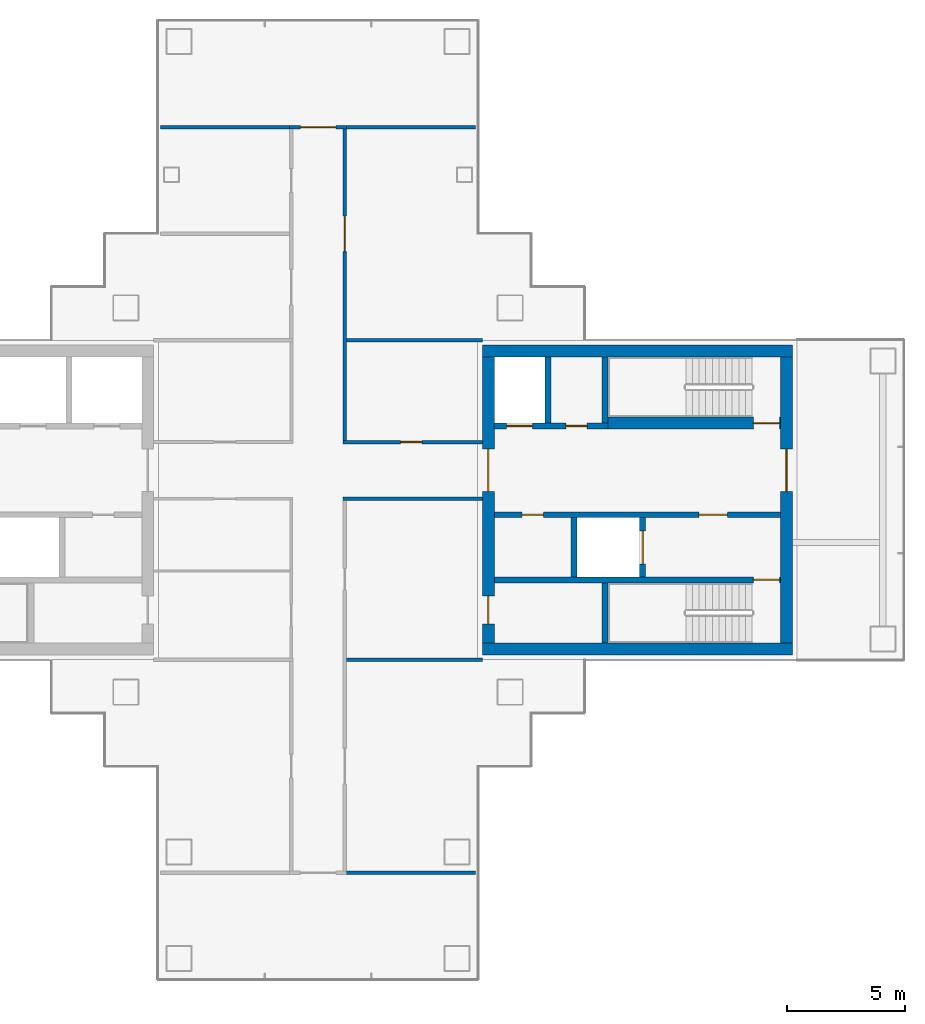
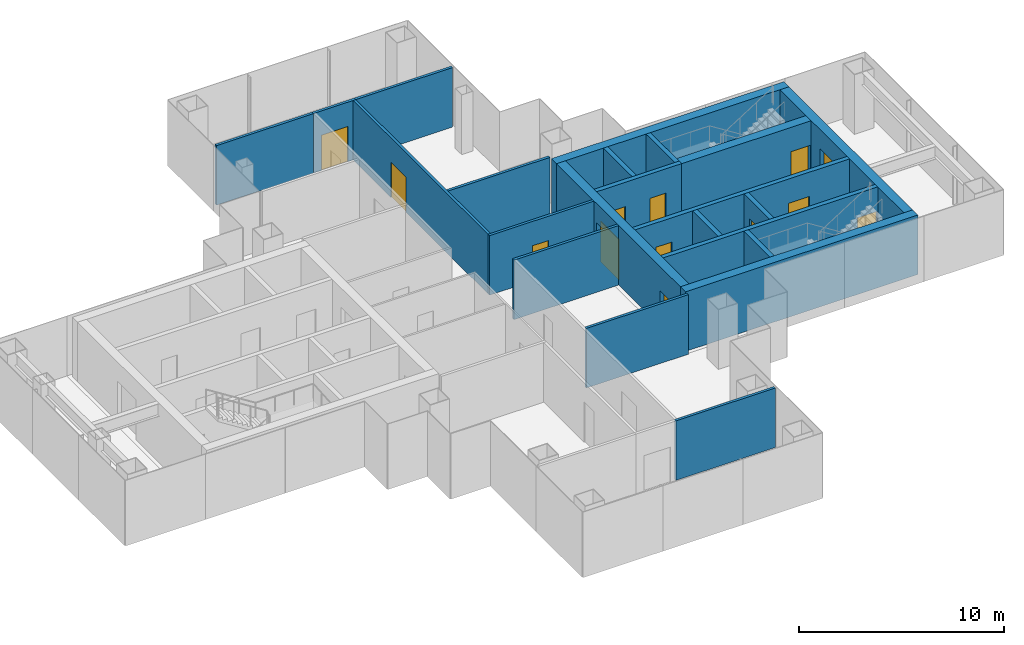
# One storey, part 12 of 16: 22 walls, 13 doors, 13 openings.
"""IFC4 building model written with IfcOpenShell, lengths in metres."""

from ifc_helpers import new_model, si_unit, direction, frame, frame_2d, origin, place, context, subcontext, project, spatial, rectangle, extrude, material, layer, layer_set, type_object, element, fill, save


model = new_model("IFC4")

# Units and contexts
model_context = context("Model", 3, precision=1e-05, world=origin(), true_north=direction((0.0, 1.0)))
body_context = subcontext(model_context, "Body", "Model", "MODEL_VIEW")
ifc_project = project(units=[si_unit("LENGTHUNIT", "METRE"), si_unit("AREAUNIT", "SQUARE_METRE"), si_unit("VOLUMEUNIT", "CUBIC_METRE"), si_unit("PLANEANGLEUNIT", "RADIAN"), si_unit("MASSUNIT", "GRAM", prefix="KILO")], contexts=[model_context])

# Site, building, storey
site_placement = place(None, origin())
site = spatial("IfcSite", under=ifc_project, at=site_placement, CompositionType="ELEMENT")
building_placement = place(site_placement, origin())
building = spatial("IfcBuilding", under=site, at=building_placement, Name="Shamsa Quay Exchange Towers", CompositionType="ELEMENT")
storey_placement = place(building_placement, frame((0.0, 0.0, 154.5)))
storey = spatial("IfcBuildingStorey", under=building, at=storey_placement, Name="L36", CompositionType="ELEMENT", Elevation=154.5)

# Walls
ifc_material_1 = material(Name="Concrete C60/75", Category="concrete")
ifc_layer_1 = layer(ifc_material_1, 0.5)
ifc_layer_set_1 = layer_set([ifc_layer_1], Name="CORE WALL 500 C60/75")
wall_type_1 = type_object("IfcWallType", Name="CORE WALL 500 C60/75", PredefinedType="SHEAR", material=ifc_layer_set_1)
for number, where, z_axis, x_axis, name in (
    (1, (53.800048828125, -6.300048828125, 0.0), (0.0, 0.0, 1.0), (-1.0, 0.0, 0.0), "Core wall T2B-R17-PS"),
    (2, (53.800048828125, 6.300048828125, 0.0), (0.0, 0.0, 1.0), (-1.0, 0.0, 0.0), "Core wall T2B-R17-PN"),
):
    element("IfcWall", number, at=place(storey_placement, frame(where, z_axis=z_axis, x_axis=x_axis)), inside=storey, type_object=wall_type_1, Name=name, PredefinedType="SHEAR", context=body_context, shape_type="SweptSolid", body=[
        extrude(rectangle(XDim=13.10009765625, YDim=0.5, at=frame_2d((6.550048828125, 0.0))), origin(), (0.0, 0.0, 1.0), 3.550048828125),
    ])

# Wall, opening, door
wall_1_placement = place(storey_placement, frame((53.550048828125, -6.050048828125, 0.0), z_axis=(0.0, 0.0, 1.0), x_axis=(0.0, 1.0, 0.0)))
wall_1 = element("IfcWall", 3, at=wall_1_placement, inside=storey, type_object=wall_type_1, Name="Core wall T2B-R17-PF", PredefinedType="SHEAR", context=body_context, shape_type="SweptSolid", body=[
    extrude(rectangle(XDim=12.10009765625, YDim=0.5, at=frame_2d((6.050048828125, 0.0))), origin(), (0.0, 0.0, 1.0), 3.550048828125),
])
opening_1_placement = place(wall_1_placement, frame((6.39990234375, 0.0, 0.0)))
opening_1 = element("IfcOpeningElement", 4, at=opening_1_placement, cuts=wall_1, Name="Opening T2B-R17-LBD01", PredefinedType="OPENING", context=body_context, shape_type="SweptSolid", body=[
    extrude(rectangle(XDim=1.800048828125, YDim=2.39990234375, at=frame_2d((0.89990234375, 1.199951171875))), frame((0.0, 0.260009765625, 0.0), z_axis=(0.0, -1.0, 0.0), x_axis=(1.0, 0.0, 0.0)), (0.0, 0.0, 1.0), 0.52001953125),
])
ifc_material_2 = material(Name="Steel, fire rated", Category="steel")
door_type_1 = type_object("IfcDoorType", Name="LIFT LOBBY DOOR PAIR 1800", OperationType="DOUBLE_DOOR_SINGLE_SWING", PredefinedType="DOOR", material=ifc_material_2)
door_1_placement = place(opening_1_placement, origin())
door_1 = element("IfcDoor", 5, at=door_1_placement, inside=storey, type_object=door_type_1, Name="T2B-R17-LBD01", OperationType="DOUBLE_DOOR_SINGLE_SWING", OverallHeight=2.39990234375, OverallWidth=1.800048828125, PredefinedType="DOOR", context=body_context, shape_type="SweptSolid", body=[
    extrude(rectangle(XDim=1.800048828125, YDim=2.39990234375, at=frame_2d((0.89990234375, 1.199951171875))), frame((0.0, 0.02490234375, 0.0), z_axis=(0.0, -1.0, 0.0), x_axis=(1.0, 0.0, 0.0)), (0.0, 0.0, 1.0), 0.050048828125),
])
fill(opening_1, door_1)

# Wall, openings, doors
wall_2_placement = place(storey_placement, frame((40.949951171875, -6.050048828125, 0.0), z_axis=(0.0, 0.0, 1.0), x_axis=(0.0, 1.0, 0.0)))
wall_2 = element("IfcWall", 6, at=wall_2_placement, inside=storey, type_object=wall_type_1, Name="Core wall T2B-R17-PB", PredefinedType="SHEAR", context=body_context, shape_type="SweptSolid", body=[
    extrude(rectangle(XDim=12.10009765625, YDim=0.5, at=frame_2d((6.050048828125, 0.0))), origin(), (0.0, 0.0, 1.0), 3.550048828125),
])
opening_2_placement = place(wall_2_placement, frame((0.800048828125, 0.0, 0.0)))
opening_2 = element("IfcOpeningElement", 7, at=opening_2_placement, cuts=wall_2, Name="Opening T2B-R17-RD02", PredefinedType="OPENING", context=body_context, shape_type="SweptSolid", body=[
    extrude(rectangle(XDim=1.199951171875, YDim=2.10009765625, at=frame_2d((0.60009765625, 1.050048828125))), frame((0.0, 0.260009765625, 0.0), z_axis=(0.0, -1.0, 0.0), x_axis=(1.0, 0.0, 0.0)), (0.0, 0.0, 1.0), 0.52001953125),
])
opening_3_placement = place(wall_2_placement, frame((6.39990234375, 0.0, 0.0)))
opening_3 = element("IfcOpeningElement", 8, at=opening_3_placement, cuts=wall_2, Name="Opening T2B-R17-LBD03", PredefinedType="OPENING", context=body_context, shape_type="SweptSolid", body=[
    extrude(rectangle(XDim=1.800048828125, YDim=2.39990234375, at=frame_2d((0.89990234375, 1.199951171875))), frame((0.0, 0.260009765625, 0.0), z_axis=(0.0, -1.0, 0.0), x_axis=(1.0, 0.0, 0.0)), (0.0, 0.0, 1.0), 0.52001953125),
])
door_2_placement = place(opening_3_placement, origin())
door_2 = element("IfcDoor", 9, at=door_2_placement, inside=storey, type_object=door_type_1, Name="T2B-R17-LBD03", OperationType="DOUBLE_DOOR_SINGLE_SWING", OverallHeight=2.39990234375, OverallWidth=1.800048828125, PredefinedType="DOOR", context=body_context, shape_type="SweptSolid", body=[
    extrude(rectangle(XDim=1.800048828125, YDim=2.39990234375, at=frame_2d((0.89990234375, 1.199951171875))), frame((0.0, 0.02490234375, 0.0), z_axis=(0.0, -1.0, 0.0), x_axis=(1.0, 0.0, 0.0)), (0.0, 0.0, 1.0), 0.050048828125),
])
fill(opening_3, door_2)
door_type_2 = type_object("IfcDoorType", Name="RISER ACCESS DOOR 1200", OperationType="SINGLE_SWING_LEFT", PredefinedType="DOOR", material=ifc_material_2)
door_3_placement = place(opening_2_placement, origin())
door_3 = element("IfcDoor", 10, at=door_3_placement, inside=storey, type_object=door_type_2, Name="T2B-R17-RD02", OperationType="SINGLE_SWING_LEFT", OverallHeight=2.10009765625, OverallWidth=1.199951171875, PredefinedType="DOOR", context=body_context, shape_type="SweptSolid", body=[
    extrude(rectangle(XDim=1.199951171875, YDim=2.10009765625, at=frame_2d((0.60009765625, 1.050048828125))), frame((0.0, 0.02490234375, 0.0), z_axis=(0.0, -1.0, 0.0), x_axis=(1.0, 0.0, 0.0)), (0.0, 0.0, 1.0), 0.050048828125),
])
fill(opening_2, door_3)

# Wall, opening, door
ifc_material_3 = material(Name="Gypsum board partition on metal studs")
ifc_layer_2 = layer(ifc_material_3, 0.14990234375)
ifc_layer_set_2 = layer_set([ifc_layer_2], Name="Partition 150 mm EI 60")
wall_type_2 = type_object("IfcWallType", Name="Partition 150 mm EI 60", PredefinedType="PARTITIONING", material=ifc_layer_set_2)
wall_3_placement = place(storey_placement, frame((34.800048828125, 2.4501953125, 0.0)))
wall_3 = element("IfcWall", 11, at=wall_3_placement, inside=storey, type_object=wall_type_2, Name="Partition T2-R17-W05", PredefinedType="PARTITIONING", context=body_context, shape_type="SweptSolid", body=[
    extrude(rectangle(XDim=5.89990234375, YDim=0.14990234375, at=frame_2d((2.949951171875, 0.0))), origin(), (0.0, 0.0, 1.0), 3.550048828125),
])
opening_4_placement = place(wall_3_placement, frame((2.4375, 0.0, 0.0)))
opening_4 = element("IfcOpeningElement", 12, at=opening_4_placement, cuts=wall_3, Name="Opening T2-R17-D01", PredefinedType="OPENING", context=body_context, shape_type="SweptSolid", body=[
    extrude(rectangle(XDim=0.89990234375, YDim=2.10009765625, at=frame_2d((0.449951171875, 1.050048828125))), frame((0.0, 0.0849609375, 0.0), z_axis=(0.0, -1.0, 0.0), x_axis=(1.0, 0.0, 0.0)), (0.0, 0.0, 1.0), 0.169921875),
])
ifc_material_4 = material(Name="Timber door leaf in a metal frame", Category="wood")
door_type_3 = type_object("IfcDoorType", Name="Door 900x2100 FD30S", OperationType="NOTDEFINED", PredefinedType="DOOR", material=ifc_material_4)
door_4_placement = place(opening_4_placement, origin())
door_4 = element("IfcDoor", 13, at=door_4_placement, inside=storey, type_object=door_type_3, Name="Door T2-R17-D01", OperationType="SINGLE_SWING_RIGHT", OverallHeight=2.10009765625, OverallWidth=0.89990234375, PredefinedType="DOOR", context=body_context, shape_type="SweptSolid", body=[
    extrude(rectangle(XDim=0.89990234375, YDim=2.10009765625, at=frame_2d((0.449951171875, 1.050048828125))), frame((0.0, 0.02490234375, 0.0), z_axis=(0.0, -1.0, 0.0), x_axis=(1.0, 0.0, 0.0)), (0.0, 0.0, 1.0), 0.050048828125),
])
fill(opening_4, door_4)

wall_4_placement = place(storey_placement, frame((34.875, 15.675048828125, 0.0), z_axis=(0.0, 0.0, 1.0), x_axis=(0.0, -1.0, 0.0)))
wall_4 = element("IfcWall", 14, at=wall_4_placement, inside=storey, type_object=wall_type_2, Name="Partition T2-R17-W07", PredefinedType="PARTITIONING", context=body_context, shape_type="SweptSolid", body=[
    extrude(rectangle(XDim=13.14990234375, YDim=0.14990234375, at=frame_2d((6.574951171875, 0.0))), origin(), (0.0, 0.0, 1.0), 3.550048828125),
])
opening_5_placement = place(wall_4_placement, frame((3.675048828125, 0.0, 0.0)))
opening_5 = element("IfcOpeningElement", 15, at=opening_5_placement, cuts=wall_4, Name="Opening T2-R17-D04", PredefinedType="OPENING", context=body_context, shape_type="SweptSolid", body=[
    extrude(rectangle(XDim=1.5, YDim=2.10009765625, at=frame_2d((0.75, 1.050048828125))), frame((0.0, 0.0849609375, 0.0), z_axis=(0.0, -1.0, 0.0), x_axis=(1.0, 0.0, 0.0)), (0.0, 0.0, 1.0), 0.169921875),
])
door_type_4 = type_object("IfcDoorType", Name="Door 1500x2100 FD30S pair", OperationType="NOTDEFINED", PredefinedType="DOOR", material=ifc_material_4)
door_5_placement = place(opening_5_placement, origin())
door_5 = element("IfcDoor", 16, at=door_5_placement, inside=storey, type_object=door_type_4, Name="Door T2-R17-D04", OperationType="DOUBLE_DOOR_SINGLE_SWING", OverallHeight=2.10009765625, OverallWidth=1.5, PredefinedType="DOOR", context=body_context, shape_type="SweptSolid", body=[
    extrude(rectangle(XDim=1.5, YDim=2.10009765625, at=frame_2d((0.75, 1.050048828125))), frame((0.0, 0.02490234375, 0.0), z_axis=(0.0, -1.0, 0.0), x_axis=(1.0, 0.0, 0.0)), (0.0, 0.0, 1.0), 0.050048828125),
])
fill(opening_5, door_5)

# Wall
wall_5_placement = place(storey_placement, frame((40.699951171875, 0.0498046875, 0.0), z_axis=(0.0, 0.0, 1.0), x_axis=(-1.0, 0.0, 0.0)))
element("IfcWall", 17, at=wall_5_placement, inside=storey, type_object=wall_type_2, Name="Partition T2-R17-W08", PredefinedType="PARTITIONING", context=body_context, shape_type="SweptSolid", body=[
    extrude(rectangle(XDim=5.89990234375, YDim=0.14990234375, at=frame_2d((2.949951171875, 0.0))), origin(), (0.0, 0.0, 1.0), 3.550048828125),
])

# Wall, opening, door
wall_6_placement = place(storey_placement, frame((32.550048828125, 15.75, 0.0)))
wall_6 = element("IfcWall", 18, at=wall_6_placement, inside=storey, type_object=wall_type_2, Name="Partition T2-R17-W11", PredefinedType="PARTITIONING", context=body_context, shape_type="SweptSolid", body=[
    extrude(rectangle(XDim=2.39990234375, YDim=0.14990234375, at=frame_2d((1.199951171875, 0.0))), origin(), (0.0, 0.0, 1.0), 3.550048828125),
])
opening_6_placement = place(wall_6_placement, frame((0.449951171875, 0.0, 0.0)))
opening_6 = element("IfcOpeningElement", 19, at=opening_6_placement, cuts=wall_6, Name="Opening T2-R17-D05", PredefinedType="OPENING", context=body_context, shape_type="SweptSolid", body=[
    extrude(rectangle(XDim=1.5, YDim=2.10009765625, at=frame_2d((0.75, 1.050048828125))), frame((0.0, 0.0849609375, 0.0), z_axis=(0.0, -1.0, 0.0), x_axis=(1.0, 0.0, 0.0)), (0.0, 0.0, 1.0), 0.169921875),
])
door_6_placement = place(opening_6_placement, origin())
door_6 = element("IfcDoor", 20, at=door_6_placement, inside=storey, type_object=door_type_4, Name="Door T2-R17-D05", OperationType="DOUBLE_DOOR_SINGLE_SWING", OverallHeight=2.10009765625, OverallWidth=1.5, PredefinedType="DOOR", context=body_context, shape_type="SweptSolid", body=[
    extrude(rectangle(XDim=1.5, YDim=2.10009765625, at=frame_2d((0.75, 1.050048828125))), frame((0.0, 0.02490234375, 0.0), z_axis=(0.0, -1.0, 0.0), x_axis=(1.0, 0.0, 0.0)), (0.0, 0.0, 1.0), 0.050048828125),
])
fill(opening_6, door_6)

# Walls
wall_7_placement = place(storey_placement, frame((40.699951171875, 6.75, 0.0), z_axis=(0.0, 0.0, 1.0), x_axis=(-1.0, 0.0, 0.0)))
element("IfcWall", 21, at=wall_7_placement, inside=storey, type_object=wall_type_2, Name="Partition T2-R17-W14", PredefinedType="PARTITIONING", context=body_context, shape_type="SweptSolid", body=[
    extrude(rectangle(XDim=5.75, YDim=0.14990234375, at=frame_2d((2.875, 0.0))), origin(), (0.0, 0.0, 1.0), 3.550048828125),
])
wall_8_placement = place(storey_placement, frame((34.949951171875, -6.75, 0.0)))
element("IfcWall", 22, at=wall_8_placement, inside=storey, type_object=wall_type_2, Name="Partition T2-R17-W16", PredefinedType="PARTITIONING", context=body_context, shape_type="SweptSolid", body=[
    extrude(rectangle(XDim=5.75, YDim=0.14990234375, at=frame_2d((2.875, 0.0))), origin(), (0.0, 0.0, 1.0), 3.550048828125),
])
for number, where, z_axis, x_axis, name in (
    (23, (32.699951171875, 15.75, 0.0), (0.0, 0.0, 1.0), (-1.0, 0.0, 0.0), "Partition T2-R17-W19"),
    (24, (40.405029296875, 15.75, 0.0), (0.0, 0.0, 1.0), (-1.0, 0.0, 0.0), "Partition T2-R17-W20"),
):
    element("IfcWall", number, at=place(storey_placement, frame(where, z_axis=z_axis, x_axis=x_axis)), inside=storey, type_object=wall_type_2, Name=name, PredefinedType="PARTITIONING", context=body_context, shape_type="SweptSolid", body=[
        extrude(rectangle(XDim=5.60498046875, YDim=0.14990234375, at=frame_2d((2.802490234375, 0.0))), origin(), (0.0, 0.0, 1.0), 3.550048828125),
    ])
wall_9_placement = place(storey_placement, frame((34.800048828125, -15.75, 0.0)))
element("IfcWall", 25, at=wall_9_placement, inside=storey, type_object=wall_type_2, Name="Partition T2-R17-W21", PredefinedType="PARTITIONING", context=body_context, shape_type="SweptSolid", body=[
    extrude(rectangle(XDim=5.60498046875, YDim=0.14990234375, at=frame_2d((2.802490234375, 0.0))), origin(), (0.0, 0.0, 1.0), 3.550048828125),
])

# Wall, opening, door
ifc_material_5 = material(Name="Concrete C50/60", Category="concrete")
ifc_layer_3 = layer(ifc_material_5, 0.25)
ifc_layer_set_3 = layer_set([ifc_layer_3], Name="SHAFT WALL 250 C50/60")
wall_type_3 = type_object("IfcWallType", Name="SHAFT WALL 250 C50/60", PredefinedType="SHEAR", material=ifc_layer_set_3)
wall_10_placement = place(storey_placement, frame((53.300048828125, -3.375, 0.0), z_axis=(0.0, 0.0, 1.0), x_axis=(-1.0, 0.0, 0.0)))
wall_10 = element("IfcWall", 26, at=wall_10_placement, inside=storey, type_object=wall_type_3, Name="Shaft wall T2B-R17-STL", PredefinedType="SHEAR", context=body_context, shape_type="SweptSolid", body=[
    extrude(rectangle(XDim=12.10009765625, YDim=0.25, at=frame_2d((6.050048828125, 0.0))), origin(), (0.0, 0.0, 1.0), 3.550048828125),
])
opening_7_placement = place(wall_10_placement, frame((0.050048828125, 0.0, 0.0)))
opening_7 = element("IfcOpeningElement", 27, at=opening_7_placement, cuts=wall_10, Name="Opening T2B-R17-SD04", PredefinedType="OPENING", context=body_context, shape_type="SweptSolid", body=[
    extrude(rectangle(XDim=1.10009765625, YDim=2.10009765625, at=frame_2d((0.550048828125, 1.050048828125))), frame((0.0, 0.135009765625, 0.0), z_axis=(0.0, -1.0, 0.0), x_axis=(1.0, 0.0, 0.0)), (0.0, 0.0, 1.0), 0.27001953125),
])
door_type_5 = type_object("IfcDoorType", Name="STAIR DOOR 1100", OperationType="SINGLE_SWING_LEFT", PredefinedType="DOOR", material=ifc_material_2)
door_7_placement = place(opening_7_placement, origin())
door_7 = element("IfcDoor", 28, at=door_7_placement, inside=storey, type_object=door_type_5, Name="T2B-R17-SD04", OperationType="SINGLE_SWING_LEFT", OverallHeight=2.10009765625, OverallWidth=1.10009765625, PredefinedType="DOOR", context=body_context, shape_type="SweptSolid", body=[
    extrude(rectangle(XDim=1.10009765625, YDim=2.10009765625, at=frame_2d((0.550048828125, 1.050048828125))), frame((0.0, 0.02490234375, 0.0), z_axis=(0.0, -1.0, 0.0), x_axis=(1.0, 0.0, 0.0)), (0.0, 0.0, 1.0), 0.050048828125),
])
fill(opening_7, door_7)

# Wall
wall_11_placement = place(storey_placement, frame((45.875, -6.050048828125, 0.0), z_axis=(0.0, 0.0, 1.0), x_axis=(0.0, 1.0, 0.0)))
element("IfcWall", 29, at=wall_11_placement, inside=storey, type_object=wall_type_3, Name="Shaft wall T2B-R17-STF", PredefinedType="SHEAR", context=body_context, shape_type="SweptSolid", body=[
    extrude(rectangle(XDim=2.550048828125, YDim=0.25, at=frame_2d((1.27490234375, 0.0))), origin(), (0.0, 0.0, 1.0), 3.550048828125),
])

# Wall, openings, doors
wall_12_placement = place(storey_placement, frame((53.300048828125, -0.625, 0.0), z_axis=(0.0, 0.0, 1.0), x_axis=(-1.0, 0.0, 0.0)))
wall_12 = element("IfcWall", 30, at=wall_12_placement, inside=storey, type_object=wall_type_3, Name="Shaft wall T2B-R17-B", PredefinedType="SHEAR", context=body_context, shape_type="SweptSolid", body=[
    extrude(rectangle(XDim=12.10009765625, YDim=0.25, at=frame_2d((6.050048828125, 0.0))), origin(), (0.0, 0.0, 1.0), 3.550048828125),
])
opening_8_placement = place(wall_12_placement, frame((2.25, 0.0, 0.0)))
opening_8 = element("IfcOpeningElement", 31, at=opening_8_placement, cuts=wall_12, Name="Opening T2B-R17-FD05", PredefinedType="OPENING", context=body_context, shape_type="SweptSolid", body=[
    extrude(rectangle(XDim=1.199951171875, YDim=2.10009765625, at=frame_2d((0.60009765625, 1.050048828125))), frame((0.0, 0.135009765625, 0.0), z_axis=(0.0, -1.0, 0.0), x_axis=(1.0, 0.0, 0.0)), (0.0, 0.0, 1.0), 0.27001953125),
])
opening_9_placement = place(wall_12_placement, frame((10.02490234375, 0.0, 0.0)))
opening_9 = element("IfcOpeningElement", 32, at=opening_9_placement, cuts=wall_12, Name="Opening T2B-R17-SV06", PredefinedType="OPENING", context=body_context, shape_type="SweptSolid", body=[
    extrude(rectangle(XDim=0.89990234375, YDim=2.10009765625, at=frame_2d((0.449951171875, 1.050048828125))), frame((0.0, 0.135009765625, 0.0), z_axis=(0.0, -1.0, 0.0), x_axis=(1.0, 0.0, 0.0)), (0.0, 0.0, 1.0), 0.27001953125),
])
door_type_6 = type_object("IfcDoorType", Name="FIRE SERVICE LOBBY DOOR 1200", OperationType="SINGLE_SWING_LEFT", PredefinedType="DOOR", material=ifc_material_2)
door_8_placement = place(opening_8_placement, origin())
door_8 = element("IfcDoor", 33, at=door_8_placement, inside=storey, type_object=door_type_6, Name="T2B-R17-FD05", OperationType="SINGLE_SWING_LEFT", OverallHeight=2.10009765625, OverallWidth=1.199951171875, PredefinedType="DOOR", context=body_context, shape_type="SweptSolid", body=[
    extrude(rectangle(XDim=1.199951171875, YDim=2.10009765625, at=frame_2d((0.60009765625, 1.050048828125))), frame((0.0, 0.02490234375, 0.0), z_axis=(0.0, -1.0, 0.0), x_axis=(1.0, 0.0, 0.0)), (0.0, 0.0, 1.0), 0.050048828125),
])
fill(opening_8, door_8)
door_type_7 = type_object("IfcDoorType", Name="SERVICE ROOM DOOR 900", OperationType="SINGLE_SWING_LEFT", PredefinedType="DOOR", material=ifc_material_2)
door_9_placement = place(opening_9_placement, origin())
door_9 = element("IfcDoor", 34, at=door_9_placement, inside=storey, type_object=door_type_7, Name="T2B-R17-SV06", OperationType="SINGLE_SWING_RIGHT", OverallHeight=2.10009765625, OverallWidth=0.89990234375, PredefinedType="DOOR", context=body_context, shape_type="SweptSolid", body=[
    extrude(rectangle(XDim=0.89990234375, YDim=2.10009765625, at=frame_2d((0.449951171875, 1.050048828125))), frame((0.0, 0.02490234375, 0.0), z_axis=(0.0, -1.0, 0.0), x_axis=(1.0, 0.0, 0.0)), (0.0, 0.0, 1.0), 0.050048828125),
])
fill(opening_9, door_9)

# Wall, opening, door
wall_13_placement = place(storey_placement, frame((47.47509765625, -3.25, 0.0), z_axis=(0.0, 0.0, 1.0), x_axis=(0.0, 1.0, 0.0)))
wall_13 = element("IfcWall", 35, at=wall_13_placement, inside=storey, type_object=wall_type_3, Name="Shaft wall T2B-R17-FFF", PredefinedType="SHEAR", context=body_context, shape_type="SweptSolid", body=[
    extrude(rectangle(XDim=2.5, YDim=0.25, at=frame_2d((1.25, 0.0))), origin(), (0.0, 0.0, 1.0), 3.550048828125),
])
opening_10_placement = place(wall_13_placement, frame((0.550048828125, 0.0, 0.0)))
opening_10 = element("IfcOpeningElement", 36, at=opening_10_placement, cuts=wall_13, Name="Opening T2B-R17-LDG07", PredefinedType="OPENING", context=body_context, shape_type="SweptSolid", body=[
    extrude(rectangle(XDim=1.39990234375, YDim=2.39990234375, at=frame_2d((0.699951171875, 1.199951171875))), frame((0.0, 0.135009765625, 0.0), z_axis=(0.0, -1.0, 0.0), x_axis=(1.0, 0.0, 0.0)), (0.0, 0.0, 1.0), 0.27001953125),
])
door_type_8 = type_object("IfcDoorType", Name="GOODS LIFT LANDING DOOR 1400", OperationType="SLIDING_TO_LEFT", PredefinedType="DOOR", material=ifc_material_2)
door_10_placement = place(opening_10_placement, origin())
door_10 = element("IfcDoor", 37, at=door_10_placement, inside=storey, type_object=door_type_8, Name="T2B-R17-LDG07", OperationType="SLIDING_TO_LEFT", OverallHeight=2.39990234375, OverallWidth=1.39990234375, PredefinedType="DOOR", context=body_context, shape_type="SweptSolid", body=[
    extrude(rectangle(XDim=1.39990234375, YDim=2.39990234375, at=frame_2d((0.699951171875, 1.199951171875))), frame((0.0, 0.02490234375, 0.0), z_axis=(0.0, -1.0, 0.0), x_axis=(1.0, 0.0, 0.0)), (0.0, 0.0, 1.0), 0.050048828125),
])
fill(opening_10, door_10)

# Wall
wall_14_placement = place(storey_placement, frame((44.574951171875, -3.25, 0.0), z_axis=(0.0, 0.0, 1.0), x_axis=(0.0, 1.0, 0.0)))
element("IfcWall", 38, at=wall_14_placement, inside=storey, type_object=wall_type_3, Name="Shaft wall T2B-R17-FFB", PredefinedType="SHEAR", context=body_context, shape_type="SweptSolid", body=[
    extrude(rectangle(XDim=2.5, YDim=0.25, at=frame_2d((1.25, 0.0))), origin(), (0.0, 0.0, 1.0), 3.550048828125),
])

# Wall, openings, doors
wall_15_placement = place(storey_placement, frame((41.199951171875, 3.125, 0.0)))
wall_15 = element("IfcWall", 39, at=wall_15_placement, inside=storey, type_object=wall_type_3, Name="Shaft wall T2B-R17-N2", PredefinedType="SHEAR", context=body_context, shape_type="SweptSolid", body=[
    extrude(rectangle(XDim=4.800048828125, YDim=0.25, at=frame_2d((2.39990234375, 0.0))), origin(), (0.0, 0.0, 1.0), 3.550048828125),
])
opening_11_placement = place(wall_15_placement, frame((0.52490234375, 0.0, 0.0)))
opening_11 = element("IfcOpeningElement", 40, at=opening_11_placement, cuts=wall_15, Name="Opening T2B-R17-LD09", PredefinedType="OPENING", context=body_context, shape_type="SweptSolid", body=[
    extrude(rectangle(XDim=1.10009765625, YDim=2.10009765625, at=frame_2d((0.550048828125, 1.050048828125))), frame((0.0, 0.135009765625, 0.0), z_axis=(0.0, -1.0, 0.0), x_axis=(1.0, 0.0, 0.0)), (0.0, 0.0, 1.0), 0.27001953125),
])
opening_12_placement = place(wall_15_placement, frame((3.02490234375, 0.0, 0.0)))
opening_12 = element("IfcOpeningElement", 41, at=opening_12_placement, cuts=wall_15, Name="Opening T2B-R17-SV10", PredefinedType="OPENING", context=body_context, shape_type="SweptSolid", body=[
    extrude(rectangle(XDim=0.89990234375, YDim=2.10009765625, at=frame_2d((0.449951171875, 1.050048828125))), frame((0.0, 0.135009765625, 0.0), z_axis=(0.0, -1.0, 0.0), x_axis=(1.0, 0.0, 0.0)), (0.0, 0.0, 1.0), 0.27001953125),
])
door_type_9 = type_object("IfcDoorType", Name="LANDING DOOR 1100", OperationType="SLIDING_TO_LEFT", PredefinedType="DOOR", material=ifc_material_2)
door_11_placement = place(opening_11_placement, origin())
door_11 = element("IfcDoor", 42, at=door_11_placement, inside=storey, type_object=door_type_9, Name="T2B-R17-LD09", OperationType="SLIDING_TO_LEFT", OverallHeight=2.10009765625, OverallWidth=1.10009765625, PredefinedType="DOOR", context=body_context, shape_type="SweptSolid", body=[
    extrude(rectangle(XDim=1.10009765625, YDim=2.10009765625, at=frame_2d((0.550048828125, 1.050048828125))), frame((0.0, 0.02490234375, 0.0), z_axis=(0.0, -1.0, 0.0), x_axis=(1.0, 0.0, 0.0)), (0.0, 0.0, 1.0), 0.050048828125),
])
fill(opening_11, door_11)
door_12_placement = place(opening_12_placement, origin())
door_12 = element("IfcDoor", 43, at=door_12_placement, inside=storey, type_object=door_type_7, Name="T2B-R17-SV10", OperationType="SINGLE_SWING_RIGHT", OverallHeight=2.10009765625, OverallWidth=0.89990234375, PredefinedType="DOOR", context=body_context, shape_type="SweptSolid", body=[
    extrude(rectangle(XDim=0.89990234375, YDim=2.10009765625, at=frame_2d((0.449951171875, 1.050048828125))), frame((0.0, 0.02490234375, 0.0), z_axis=(0.0, -1.0, 0.0), x_axis=(1.0, 0.0, 0.0)), (0.0, 0.0, 1.0), 0.050048828125),
])
fill(opening_12, door_12)

# Walls
for number, where, z_axis, x_axis, name in (
    (44, (45.875, 3.25, 0.0), (0.0, 0.0, 1.0), (0.0, 1.0, 0.0), "Shaft wall T2B-R17-STF2"),
    (45, (43.47509765625, 3.25, 0.0), (0.0, 0.0, 1.0), (0.0, 1.0, 0.0), "Shaft wall T2B-R17-D0"),
):
    element("IfcWall", number, at=place(storey_placement, frame(where, z_axis=z_axis, x_axis=x_axis)), inside=storey, type_object=wall_type_3, Name=name, PredefinedType="SHEAR", context=body_context, shape_type="SweptSolid", body=[
        extrude(rectangle(XDim=2.800048828125, YDim=0.25, at=frame_2d((1.39990234375, 0.0))), origin(), (0.0, 0.0, 1.0), 3.550048828125),
    ])

# Wall, opening, door
ifc_layer_4 = layer(ifc_material_5, 0.5)
ifc_layer_set_4 = layer_set([ifc_layer_4], Name="SHAFT WALL 500 C50/60")
wall_type_4 = type_object("IfcWallType", Name="SHAFT WALL 500 C50/60", PredefinedType="SHEAR", material=ifc_layer_set_4)
wall_16_placement = place(storey_placement, frame((46.0, 3.25, 0.0)))
wall_16 = element("IfcWall", 46, at=wall_16_placement, inside=storey, type_object=wall_type_4, Name="Shaft wall T2B-R17-N", PredefinedType="SHEAR", context=body_context, shape_type="SweptSolid", body=[
    extrude(rectangle(XDim=7.300048828125, YDim=0.5, at=frame_2d((3.64990234375, 0.0))), origin(), (0.0, 0.0, 1.0), 3.550048828125),
])
opening_13_placement = place(wall_16_placement, frame((6.14990234375, 0.0, 0.0)))
opening_13 = element("IfcOpeningElement", 47, at=opening_13_placement, cuts=wall_16, Name="Opening T2B-R17-SD08", PredefinedType="OPENING", context=body_context, shape_type="SweptSolid", body=[
    extrude(rectangle(XDim=1.10009765625, YDim=2.10009765625, at=frame_2d((0.550048828125, 1.050048828125))), frame((0.0, 0.260009765625, 0.0), z_axis=(0.0, -1.0, 0.0), x_axis=(1.0, 0.0, 0.0)), (0.0, 0.0, 1.0), 0.52001953125),
])
door_13_placement = place(opening_13_placement, origin())
door_13 = element("IfcDoor", 48, at=door_13_placement, inside=storey, type_object=door_type_5, Name="T2B-R17-SD08", OperationType="SINGLE_SWING_RIGHT", OverallHeight=2.10009765625, OverallWidth=1.10009765625, PredefinedType="DOOR", context=body_context, shape_type="SweptSolid", body=[
    extrude(rectangle(XDim=1.10009765625, YDim=2.10009765625, at=frame_2d((0.550048828125, 1.050048828125))), frame((0.0, 0.02490234375, 0.0), z_axis=(0.0, -1.0, 0.0), x_axis=(1.0, 0.0, 0.0)), (0.0, 0.0, 1.0), 0.050048828125),
])
fill(opening_13, door_13)

save(model, "model.ifc")
